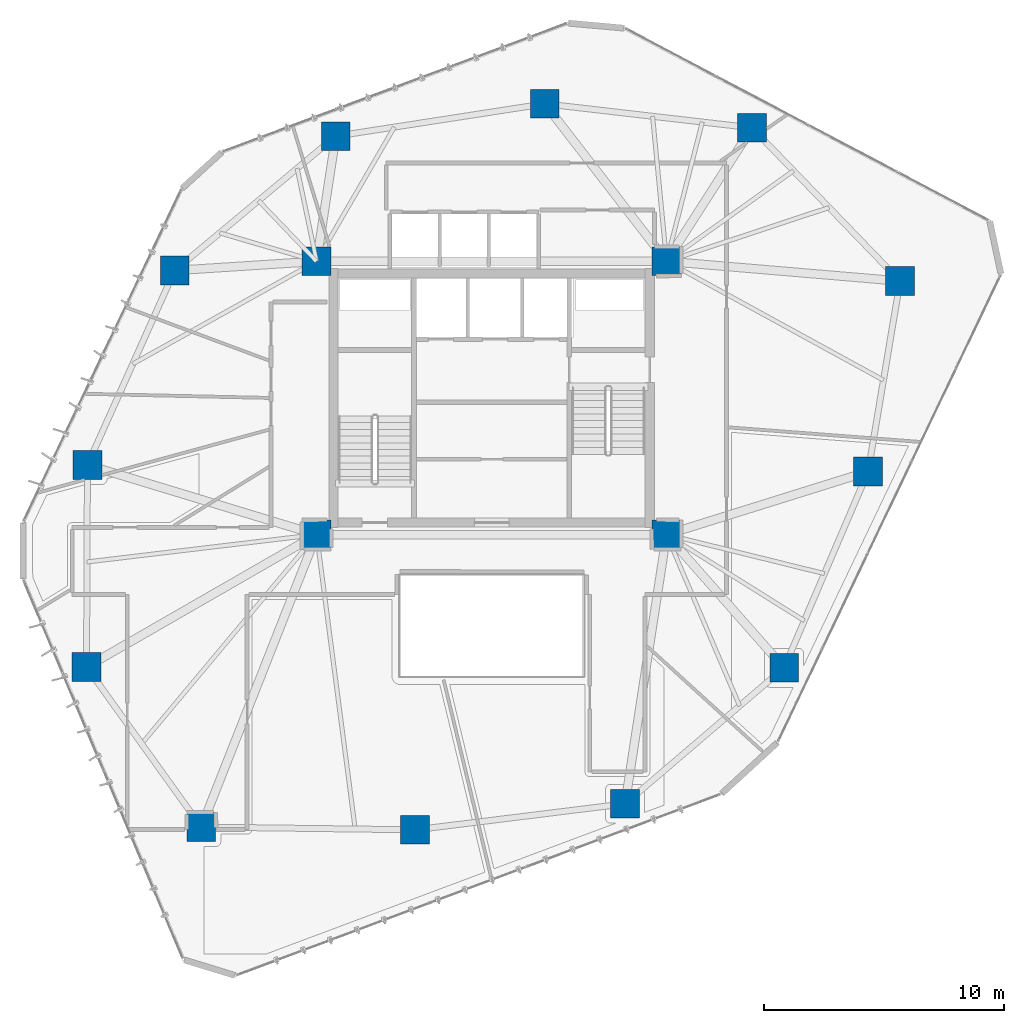
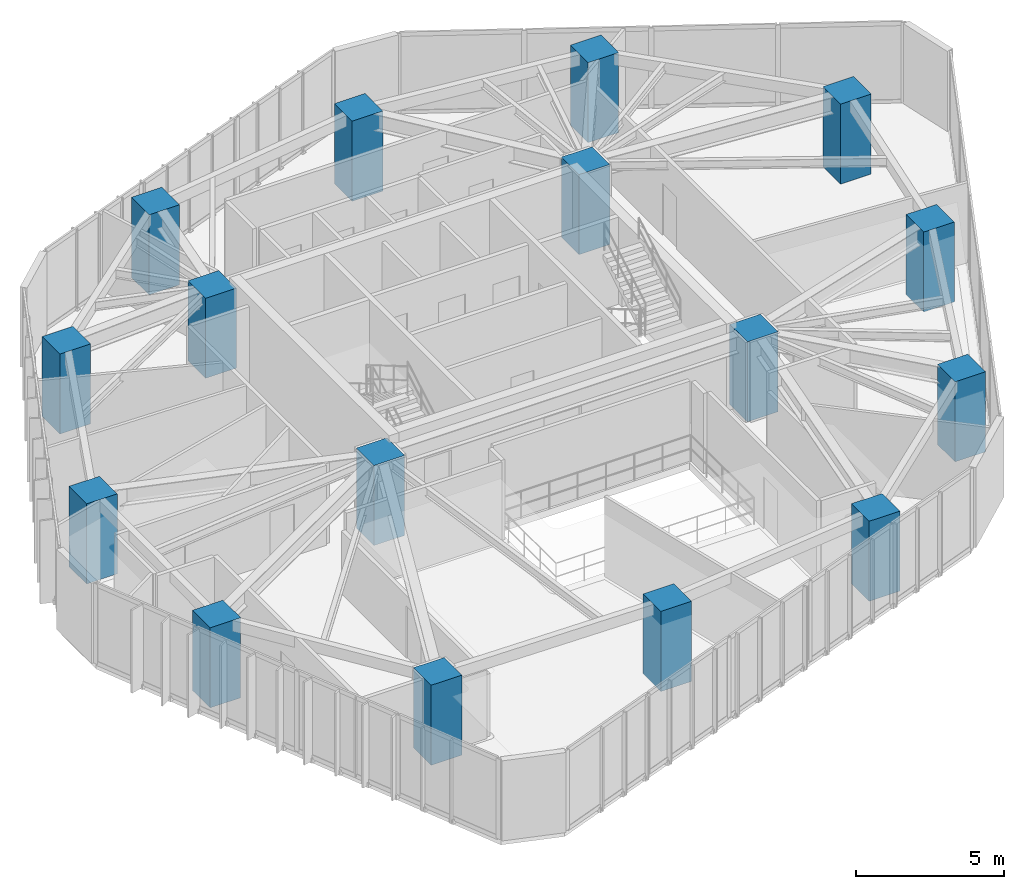
# One storey, part 1 of 22: 16 columns.
"""IFC4 building model written with IfcOpenShell, lengths in metres."""

from ifc_helpers import new_model, si_unit, direction, frame, origin, origin_2d, place, context, subcontext, project, spatial, rectangle, extrude, material, material_profile, profile_set, type_object, element, save


model = new_model("IFC4")

# Units and contexts
model_context = context("Model", 3, precision=1e-05, world=origin(), true_north=direction((0.0, 1.0)))
body_context = subcontext(model_context, "Body", "Model", "MODEL_VIEW")
ifc_project = project(units=[si_unit("LENGTHUNIT", "METRE"), si_unit("AREAUNIT", "SQUARE_METRE"), si_unit("VOLUMEUNIT", "CUBIC_METRE"), si_unit("PLANEANGLEUNIT", "RADIAN"), si_unit("MASSUNIT", "GRAM", prefix="KILO")], contexts=[model_context])

# Site, building, storey
site_placement = place(None, origin())
site = spatial("IfcSite", under=ifc_project, at=site_placement, CompositionType="ELEMENT")
building_placement = place(site_placement, origin())
building = spatial("IfcBuilding", under=site, at=building_placement, Name="Talar Marvaseh", CompositionType="ELEMENT")
storey_placement = place(building_placement, frame((0.0, 0.0, 150.60009765625)))
storey = spatial("IfcBuildingStorey", under=building, at=storey_placement, Name="L39", CompositionType="ELEMENT", Elevation=150.60009765625)

# Columns
ifc_material = material(Name="Concrete C60/75", Category="concrete")
ifc_material_profile = material_profile(ifc_material, rectangle(XDim=1.199951171875, YDim=1.199951171875, at=origin_2d()), Name="RC1200x1200")
ifc_profile_set = profile_set([ifc_material_profile], Name="Concrete C60/75")
column_type = type_object("IfcColumnType", Name="Zone 2 Tube Column RC1200x1200", PredefinedType="COLUMN", material=ifc_profile_set)
for number, where, z_axis, x_axis, name in (
    (1, (36.865966796875, 42.470947265625, 0.0), (0.0, 0.0, 1.0), (1.0, 0.0, 0.0), "L39 Zone 2 Tube Column RC1200x1200"),
    (2, (43.0439453125, 36.075927734375, 0.0), (0.0, 0.0, 1.0), (1.0, 0.0, 0.0), "L39 Zone 2 Tube Column RC1200x1200"),
    (3, (41.708984375, 28.1279296875, 0.0), (0.0, 0.0, 1.0), (1.0, 0.0, 0.0), "L39 Zone 2 Tube Column RC1200x1200"),
    (4, (38.2060546875, 19.94091796875, 0.0), (0.0, 0.0, 1.0), (1.0, 0.0, 0.0), "L39 Zone 2 Tube Column RC1200x1200"),
    (5, (31.570068359375, 14.26806640625, 0.0), (0.0, 0.0, 1.0), (1.0, 0.0, 0.0), "L39 Zone 2 Tube Column RC1200x1200"),
    (6, (22.804931640625, 13.18310546875, 0.0), (0.0, 0.0, 1.0), (1.0, 0.0, 0.0), "L39 Zone 2 Tube Column RC1200x1200"),
    (7, (13.89111328125, 13.299072265625, 0.0), (0.0, 0.0, 1.0), (1.0, 0.0, 0.0), "L39 Zone 2 Tube Column RC1200x1200"),
    (8, (9.10107421875, 19.97705078125, 0.0), (0.0, 0.0, 1.0), (1.0, 0.0, 0.0), "L39 Zone 2 Tube Column RC1200x1200"),
    (9, (9.137939453125, 28.402099609375, 0.0), (0.0, 0.0, 1.0), (1.0, 0.0, 0.0), "L39 Zone 2 Tube Column RC1200x1200"),
    (10, (12.780029296875, 36.51708984375, 0.0), (0.0, 0.0, 1.0), (1.0, 0.0, 0.0), "L39 Zone 2 Tube Column RC1200x1200"),
    (11, (19.5009765625, 42.123046875, 0.0), (0.0, 0.0, 1.0), (1.0, 0.0, 0.0), "L39 Zone 2 Tube Column RC1200x1200"),
    (12, (28.221923828125, 43.471923828125, 0.0), (0.0, 0.0, 1.0), (1.0, 0.0, 0.0), "L39 Zone 2 Tube Column RC1200x1200"),
    (13, (18.699951171875, 25.5, 0.0), (0.0, 0.0, 1.0), (1.0, 0.0, 0.0), "L39 Zone 2 Tube Column RC1200x1200"),
    (14, (33.300048828125, 25.5, 0.0), (0.0, 0.0, 1.0), (1.0, 0.0, 0.0), "L39 Zone 2 Tube Column RC1200x1200"),
    (15, (33.300048828125, 36.89990234375, 0.0), (0.0, 0.0, 1.0), (1.0, 0.0, 0.0), "L39 Zone 2 Tube Column RC1200x1200"),
    (16, (18.699951171875, 36.89990234375, 0.0), (0.0, 0.0, 1.0), (1.0, 0.0, 0.0), "L39 Zone 2 Tube Column RC1200x1200"),
):
    element("IfcColumn", number, at=place(storey_placement, frame(where, z_axis=z_axis, x_axis=x_axis)), inside=storey, type_object=column_type, Name=name, PredefinedType="COLUMN", context=body_context, shape_type="SweptSolid", body=[
        extrude(rectangle(XDim=1.199951171875, YDim=1.199951171875, at=origin_2d()), origin(), (0.0, 0.0, 1.0), 3.309814453125),
    ])

save(model, "model.ifc")
